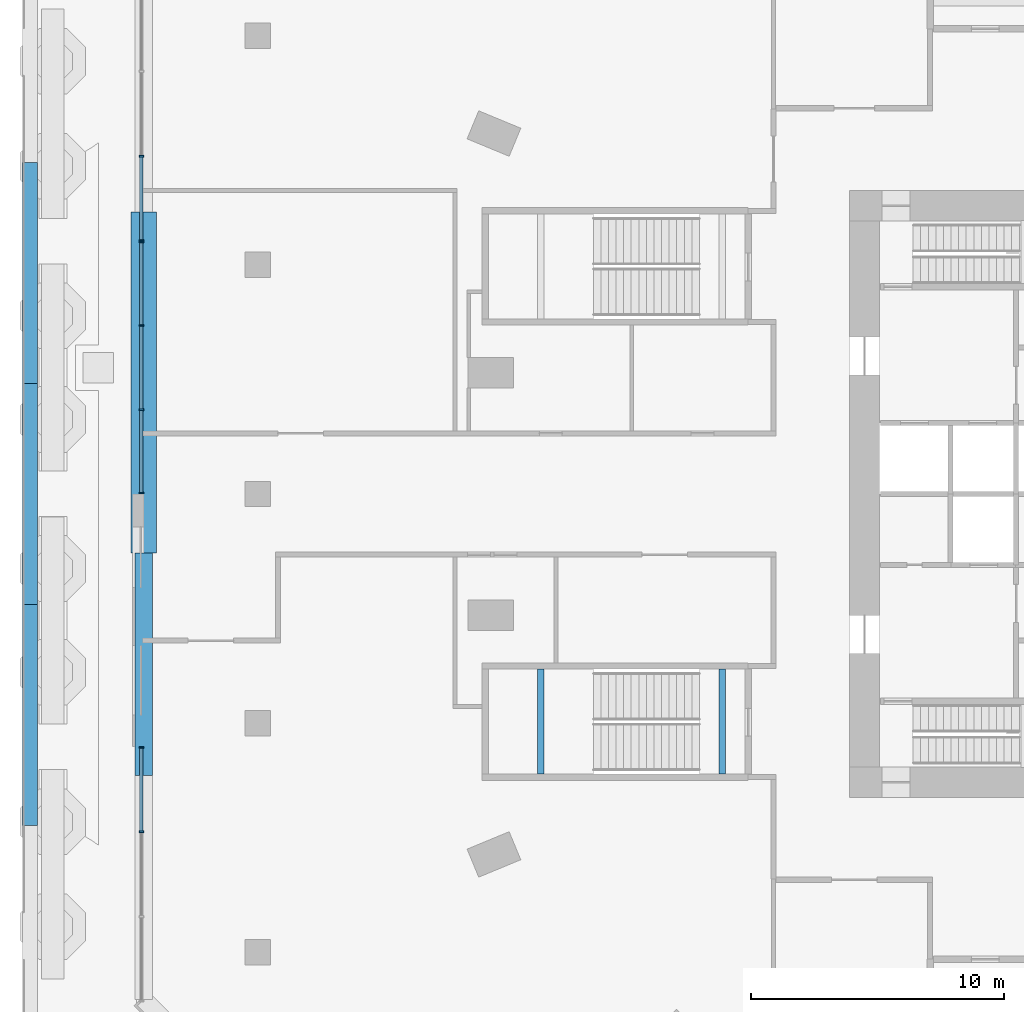
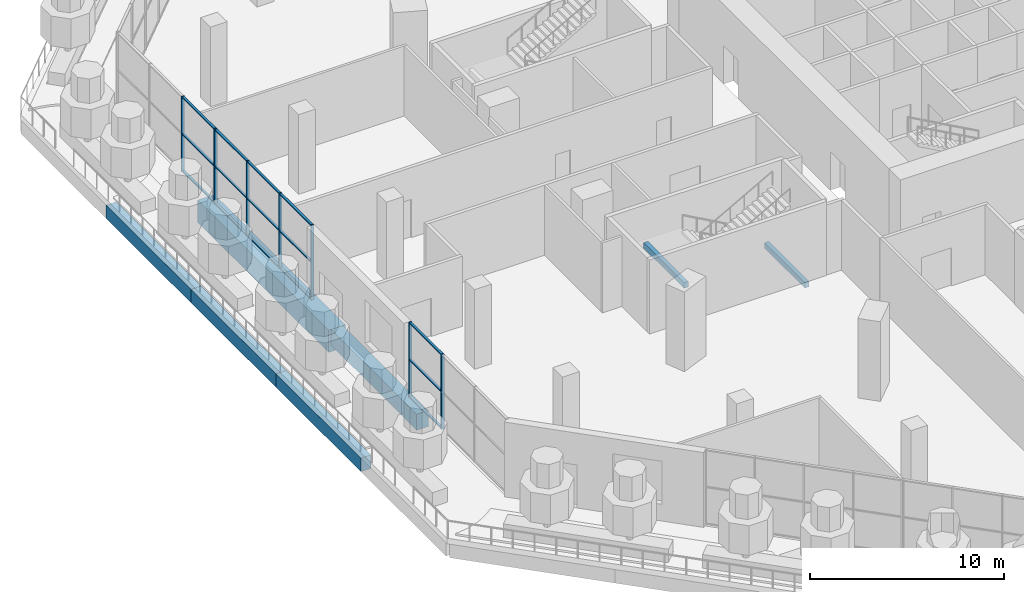
# One storey, part 6 of 32: 23 members, 7 beams, 3 elements without a shape of their own.
"""IFC4 building model written with IfcOpenShell, lengths in metres."""

from ifc_helpers import new_model, si_unit, direction, frame, origin, origin_2d, place, context, subcontext, project, spatial, rectangle, extrude, material, material_profile, profile_set, type_object, element, aggregate, save


model = new_model("IFC4")

# Units and contexts
model_context = context("Model", 3, precision=1e-05, world=origin(), true_north=direction((0.0, 1.0)))
body_context = subcontext(model_context, "Body", "Model", "MODEL_VIEW")
ifc_project = project(units=[si_unit("LENGTHUNIT", "METRE"), si_unit("AREAUNIT", "SQUARE_METRE"), si_unit("VOLUMEUNIT", "CUBIC_METRE"), si_unit("PLANEANGLEUNIT", "RADIAN"), si_unit("MASSUNIT", "GRAM", prefix="KILO")], contexts=[model_context])

# Site, building, storey
site_placement = place(None, origin())
site = spatial("IfcSite", under=ifc_project, at=site_placement, CompositionType="ELEMENT")
building_placement = place(site_placement, origin())
building = spatial("IfcBuilding", under=site, at=building_placement, Name="Msitu Wima Residences", CompositionType="ELEMENT")
storey_placement = place(building_placement, frame((0.0, 0.0, 6.0)))
storey = spatial("IfcBuildingStorey", under=building, at=storey_placement, Name="L01", CompositionType="ELEMENT", Elevation=6.0)

# Beams
ifc_material_1 = material(Name="Concrete C40/50", Category="concrete")
ifc_material_profile_1 = material_profile(ifc_material_1, rectangle(XDim=0.25, YDim=0.35009765625, at=origin_2d()), Name="RC 250x350")
ifc_profile_set_1 = profile_set([ifc_material_profile_1], Name="Concrete C40/50")
beam_type_1 = type_object("IfcBeamType", Name="Landing beam RC 250x350", PredefinedType="BEAM", material=ifc_profile_set_1)
for number, where, z_axis, x_axis, name in (
    (1, (-26.60009765625, -6.925048828125, 2.125), (0.0, -1.0, 0.0), (1.0, 0.0, 0.0), "Podium exit stair 5 landing beam"),
    (2, (-19.425048828125, -6.925048828125, -0.375), (0.0, -1.0, 0.0), (1.0, 0.0, 0.0), "Podium exit stair 5 floor landing beam"),
):
    element("IfcBeam", number, at=place(storey_placement, frame(where, z_axis=z_axis, x_axis=x_axis)), inside=storey, type_object=beam_type_1, Name=name, PredefinedType="BEAM", context=body_context, shape_type="SweptSolid", body=[
        extrude(rectangle(XDim=0.25, YDim=0.35009765625, at=origin_2d()), origin(), (0.0, 0.0, 1.0), 4.14990234375),
    ])

# Curtain wall, members
ifc_material_2 = material(Name="Anodised aluminium, bronze finish, clear low-emissivity double glazing", Category="aluminium")
curtain_wall_type = type_object("IfcCurtainWallType", Name="Curtain wall CW5 retail shopfront", PredefinedType="NOTDEFINED", material=ifc_material_2)
curtain_wall_1_placement = place(storey_placement, origin())
curtain_wall_1 = element("IfcCurtainWall", 3, at=curtain_wall_1_placement, inside=storey, type_object=curtain_wall_type, Name="Curtain wall CW5 L01 W0", PredefinedType="NOTDEFINED")
ifc_material_3 = material(Name="Anodised aluminium, bronze finish", Category="aluminium")
ifc_material_profile_2 = material_profile(ifc_material_3, rectangle(XDim=0.179931640625, YDim=0.06494140625, at=origin_2d()), Name="Mullion 65x180")
ifc_profile_set_2 = profile_set([ifc_material_profile_2], Name="Anodised aluminium, bronze finish")
member_type_1 = type_object("IfcMemberType", Name="Mullion CW5 65x180", PredefinedType="MULLION", material=ifc_profile_set_2)
member_1_placement = place(storey_placement, frame((-42.39990234375, 13.35888671875, 0.0), z_axis=(0.0, 0.0, 1.0), x_axis=(1.0, 0.0, 0.0)))
member_1 = element("IfcMember", 4, at=member_1_placement, type_object=member_type_1, Name="CW5 mullion 3", PredefinedType="MULLION", context=body_context, shape_type="SweptSolid", body=[
    extrude(rectangle(XDim=0.179931640625, YDim=0.06494140625, at=origin_2d()), origin(), (0.0, 0.0, 1.0), 4.699951171875),
])
member_2_placement = place(storey_placement, frame((-42.39990234375, 10.0283203125, 0.0), z_axis=(0.0, 0.0, 1.0), x_axis=(1.0, 0.0, 0.0)))
member_2 = element("IfcMember", 5, at=member_2_placement, type_object=member_type_1, Name="CW5 mullion 4", PredefinedType="MULLION", context=body_context, shape_type="SweptSolid", body=[
    extrude(rectangle(XDim=0.179931640625, YDim=0.06494140625, at=origin_2d()), origin(), (0.0, 0.0, 1.0), 4.699951171875),
])

curtain_wall_2_placement = place(storey_placement, origin())
curtain_wall_2 = element("IfcCurtainWall", 6, at=curtain_wall_2_placement, inside=storey, type_object=curtain_wall_type, Name="Curtain wall CW5 L01 W1", PredefinedType="NOTDEFINED")
member_3_placement = place(storey_placement, frame((-42.39990234375, 9.96337890625, 0.0), z_axis=(0.0, 0.0, 1.0), x_axis=(1.0, 0.0, 0.0)))
member_3 = element("IfcMember", 7, at=member_3_placement, type_object=member_type_1, Name="CW5 mullion 1", PredefinedType="MULLION", context=body_context, shape_type="SweptSolid", body=[
    extrude(rectangle(XDim=0.179931640625, YDim=0.06494140625, at=origin_2d()), origin(), (0.0, 0.0, 1.0), 4.699951171875),
])
member_4_placement = place(storey_placement, frame((-42.39990234375, 6.6640625, 0.0), z_axis=(0.0, 0.0, 1.0), x_axis=(1.0, 0.0, 0.0)))
member_4 = element("IfcMember", 8, at=member_4_placement, type_object=member_type_1, Name="CW5 mullion 2", PredefinedType="MULLION", context=body_context, shape_type="SweptSolid", body=[
    extrude(rectangle(XDim=0.179931640625, YDim=0.06494140625, at=origin_2d()), origin(), (0.0, 0.0, 1.0), 4.699951171875),
])
member_5_placement = place(storey_placement, frame((-42.39990234375, 3.33203125, 0.0), z_axis=(0.0, 0.0, 1.0), x_axis=(1.0, 0.0, 0.0)))
member_5 = element("IfcMember", 9, at=member_5_placement, type_object=member_type_1, Name="CW5 mullion 3", PredefinedType="MULLION", context=body_context, shape_type="SweptSolid", body=[
    extrude(rectangle(XDim=0.179931640625, YDim=0.06494140625, at=origin_2d()), origin(), (0.0, 0.0, 1.0), 4.699951171875),
])
member_6_placement = place(storey_placement, frame((-42.39990234375, 0.032470703125, 0.0), z_axis=(0.0, 0.0, 1.0), x_axis=(1.0, 0.0, 0.0)))
member_6 = element("IfcMember", 10, at=member_6_placement, type_object=member_type_1, Name="CW5 mullion 4", PredefinedType="MULLION", context=body_context, shape_type="SweptSolid", body=[
    extrude(rectangle(XDim=0.179931640625, YDim=0.06494140625, at=origin_2d()), origin(), (0.0, 0.0, 1.0), 4.699951171875),
])

curtain_wall_3_placement = place(storey_placement, origin())
curtain_wall_3 = element("IfcCurtainWall", 11, at=curtain_wall_3_placement, inside=storey, type_object=curtain_wall_type, Name="Curtain wall CW5 L01 W3", PredefinedType="NOTDEFINED")
member_7_placement = place(storey_placement, frame((-42.39990234375, -10.0283203125, 0.0), z_axis=(0.0, 0.0, 1.0), x_axis=(1.0, 0.0, 0.0)))
member_7 = element("IfcMember", 12, at=member_7_placement, type_object=member_type_1, Name="CW5 mullion 1", PredefinedType="MULLION", context=body_context, shape_type="SweptSolid", body=[
    extrude(rectangle(XDim=0.179931640625, YDim=0.06494140625, at=origin_2d()), origin(), (0.0, 0.0, 1.0), 4.699951171875),
])
member_8_placement = place(storey_placement, frame((-42.39990234375, -13.35888671875, 0.0), z_axis=(0.0, 0.0, 1.0), x_axis=(1.0, 0.0, 0.0)))
member_8 = element("IfcMember", 13, at=member_8_placement, type_object=member_type_1, Name="CW5 mullion 2", PredefinedType="MULLION", context=body_context, shape_type="SweptSolid", body=[
    extrude(rectangle(XDim=0.179931640625, YDim=0.06494140625, at=origin_2d()), origin(), (0.0, 0.0, 1.0), 4.699951171875),
])

# Beams
ifc_material_4 = material(Name="Concrete C60/75", Category="concrete")
ifc_material_profile_3 = material_profile(ifc_material_4, rectangle(XDim=1.0, YDim=1.39990234375, at=origin_2d()), Name="RC 1000x1400")
ifc_profile_set_3 = profile_set([ifc_material_profile_3], Name="Concrete C60/75")
beam_type_2 = type_object("IfcBeamType", Name="Terrace beam RC 1000x1400 Concrete C60/75", PredefinedType="BEAM", material=ifc_profile_set_3)
beam_1_placement = place(storey_placement, frame((-42.300048828125, 11.14404296875, -1.050048828125), z_axis=(0.0, -1.0, 0.0), x_axis=(1.0, 0.0, 0.0)))
element("IfcBeam", 14, at=beam_1_placement, inside=storey, type_object=beam_type_2, Name="Terrace upstand-line beam L01 T27", PredefinedType="BEAM", context=body_context, shape_type="SweptSolid", body=[
    extrude(rectangle(XDim=1.0, YDim=1.39990234375, at=origin_2d()), origin(), (0.0, 0.0, 1.0), 13.485595703125),
])
ifc_material_profile_4 = material_profile(ifc_material_4, rectangle(XDim=0.60009765625, YDim=0.85009765625, at=origin_2d()), Name="RC 600x850")
ifc_profile_set_4 = profile_set([ifc_material_profile_4], Name="Concrete C60/75")
beam_type_3 = type_object("IfcBeamType", Name="Terrace beam RC 600x850 Concrete C60/75", PredefinedType="BEAM", material=ifc_profile_set_4)
beam_2_placement = place(storey_placement, frame((-46.800048828125, 13.113525390625, -0.77490234375), z_axis=(0.0, -1.0, 0.0), x_axis=(1.0, 0.0, 0.0)))
element("IfcBeam", 15, at=beam_2_placement, inside=storey, type_object=beam_type_3, Name="Terrace edge beam L00 C-W1", PredefinedType="BEAM", context=body_context, shape_type="SweptSolid", body=[
    extrude(rectangle(XDim=0.60009765625, YDim=0.85009765625, at=origin_2d()), origin(), (0.0, 0.0, 1.0), 8.742431640625),
])
beam_3_placement = place(storey_placement, frame((-46.800048828125, 4.37109375, -0.77490234375), z_axis=(0.0, -1.0, 0.0), x_axis=(1.0, 0.0, 0.0)))
element("IfcBeam", 16, at=beam_3_placement, inside=storey, type_object=beam_type_3, Name="Terrace edge beam L00 C-W2", PredefinedType="BEAM", context=body_context, shape_type="SweptSolid", body=[
    extrude(rectangle(XDim=0.60009765625, YDim=0.85009765625, at=origin_2d()), origin(), (0.0, 0.0, 1.0), 8.7421875),
])
beam_4_placement = place(storey_placement, frame((-46.800048828125, -4.37109375, -0.77490234375), z_axis=(0.0, -1.0, 0.0), x_axis=(1.0, 0.0, 0.0)))
element("IfcBeam", 17, at=beam_4_placement, inside=storey, type_object=beam_type_3, Name="Terrace edge beam L00 C-W3", PredefinedType="BEAM", context=body_context, shape_type="SweptSolid", body=[
    extrude(rectangle(XDim=0.60009765625, YDim=0.85009765625, at=origin_2d()), origin(), (0.0, 0.0, 1.0), 8.742431640625),
])
ifc_material_profile_5 = material_profile(ifc_material_4, rectangle(XDim=0.699951171875, YDim=1.0, at=origin_2d()), Name="RC 700x1000")
ifc_profile_set_5 = profile_set([ifc_material_profile_5], Name="Concrete C60/75")
beam_type_4 = type_object("IfcBeamType", Name="Terrace beam RC 700x1000 Concrete C60/75", PredefinedType="BEAM", material=ifc_profile_set_5)
beam_5_placement = place(storey_placement, frame((-42.300048828125, -2.341552734375, -0.85009765625), z_axis=(0.0, -1.0, 0.0), x_axis=(1.0, 0.0, 0.0)))
element("IfcBeam", 18, at=beam_5_placement, inside=storey, type_object=beam_type_4, Name="Terrace upstand-line beam L01 T0", PredefinedType="BEAM", context=body_context, shape_type="SweptSolid", body=[
    extrude(rectangle(XDim=0.699951171875, YDim=1.0, at=origin_2d()), origin(), (0.0, 0.0, 1.0), 8.802490234375),
])

# Member
ifc_material_profile_6 = material_profile(ifc_material_3, rectangle(XDim=0.139892578125, YDim=0.06494140625, at=origin_2d()), Name="Transom 65x140")
ifc_profile_set_6 = profile_set([ifc_material_profile_6], Name="Anodised aluminium, bronze finish")
member_type_2 = type_object("IfcMemberType", Name="Transom CW5 65x140", PredefinedType="USERDEFINED", material=ifc_profile_set_6)
member_9_placement = place(storey_placement, frame((-42.39990234375, 13.326416015625, 0.032470703125), z_axis=(0.0, -1.0, 0.0), x_axis=(1.0, 0.0, 0.0)))
member_9 = element("IfcMember", 19, at=member_9_placement, type_object=member_type_2, Name="CW5 transom 3.1", ObjectType="TRANSOM", PredefinedType="USERDEFINED", context=body_context, shape_type="SweptSolid", body=[
    extrude(rectangle(XDim=0.139892578125, YDim=0.06494140625, at=origin_2d()), origin(), (0.0, 0.0, 1.0), 3.265380859375),
])

member_10_placement = place(storey_placement, frame((-42.39990234375, 13.326416015625, 2.35009765625), z_axis=(0.0, -1.0, 0.0), x_axis=(1.0, 0.0, 0.0)))
member_10 = element("IfcMember", 20, at=member_10_placement, type_object=member_type_2, Name="CW5 transom 3.2", ObjectType="TRANSOM", PredefinedType="USERDEFINED", context=body_context, shape_type="SweptSolid", body=[
    extrude(rectangle(XDim=0.139892578125, YDim=0.06494140625, at=origin_2d()), origin(), (0.0, 0.0, 1.0), 3.265380859375),
])

member_11_placement = place(storey_placement, frame((-42.39990234375, 13.326416015625, 4.66748046875), z_axis=(0.0, -1.0, 0.0), x_axis=(1.0, 0.0, 0.0)))
member_11 = element("IfcMember", 21, at=member_11_placement, type_object=member_type_2, Name="CW5 transom 3.3", ObjectType="TRANSOM", PredefinedType="USERDEFINED", context=body_context, shape_type="SweptSolid", body=[
    extrude(rectangle(XDim=0.139892578125, YDim=0.06494140625, at=origin_2d()), origin(), (0.0, 0.0, 1.0), 3.265380859375),
])

aggregate(curtain_wall_1, [member_1, member_2, member_9, member_10, member_11])

member_12_placement = place(storey_placement, frame((-42.39990234375, 9.930908203125, 0.032470703125), z_axis=(0.0, -1.0, 0.0), x_axis=(1.0, 0.0, 0.0)))
member_12 = element("IfcMember", 22, at=member_12_placement, type_object=member_type_2, Name="CW5 transom 1.1", ObjectType="TRANSOM", PredefinedType="USERDEFINED", context=body_context, shape_type="SweptSolid", body=[
    extrude(rectangle(XDim=0.139892578125, YDim=0.06494140625, at=origin_2d()), origin(), (0.0, 0.0, 1.0), 3.234375),
])

member_13_placement = place(storey_placement, frame((-42.39990234375, 9.930908203125, 2.35009765625), z_axis=(0.0, -1.0, 0.0), x_axis=(1.0, 0.0, 0.0)))
member_13 = element("IfcMember", 23, at=member_13_placement, type_object=member_type_2, Name="CW5 transom 1.2", ObjectType="TRANSOM", PredefinedType="USERDEFINED", context=body_context, shape_type="SweptSolid", body=[
    extrude(rectangle(XDim=0.139892578125, YDim=0.06494140625, at=origin_2d()), origin(), (0.0, 0.0, 1.0), 3.234375),
])

member_14_placement = place(storey_placement, frame((-42.39990234375, 9.930908203125, 4.66748046875), z_axis=(0.0, -1.0, 0.0), x_axis=(1.0, 0.0, 0.0)))
member_14 = element("IfcMember", 24, at=member_14_placement, type_object=member_type_2, Name="CW5 transom 1.3", ObjectType="TRANSOM", PredefinedType="USERDEFINED", context=body_context, shape_type="SweptSolid", body=[
    extrude(rectangle(XDim=0.139892578125, YDim=0.06494140625, at=origin_2d()), origin(), (0.0, 0.0, 1.0), 3.234375),
])

member_15_placement = place(storey_placement, frame((-42.39990234375, 6.63134765625, 0.032470703125), z_axis=(0.0, -1.0, 0.0), x_axis=(1.0, 0.0, 0.0)))
member_15 = element("IfcMember", 25, at=member_15_placement, type_object=member_type_2, Name="CW5 transom 2.1", ObjectType="TRANSOM", PredefinedType="USERDEFINED", context=body_context, shape_type="SweptSolid", body=[
    extrude(rectangle(XDim=0.139892578125, YDim=0.06494140625, at=origin_2d()), origin(), (0.0, 0.0, 1.0), 3.266845703125),
])

member_16_placement = place(storey_placement, frame((-42.39990234375, 6.63134765625, 2.35009765625), z_axis=(0.0, -1.0, 0.0), x_axis=(1.0, 0.0, 0.0)))
member_16 = element("IfcMember", 26, at=member_16_placement, type_object=member_type_2, Name="CW5 transom 2.2", ObjectType="TRANSOM", PredefinedType="USERDEFINED", context=body_context, shape_type="SweptSolid", body=[
    extrude(rectangle(XDim=0.139892578125, YDim=0.06494140625, at=origin_2d()), origin(), (0.0, 0.0, 1.0), 3.266845703125),
])

member_17_placement = place(storey_placement, frame((-42.39990234375, 6.63134765625, 4.66748046875), z_axis=(0.0, -1.0, 0.0), x_axis=(1.0, 0.0, 0.0)))
member_17 = element("IfcMember", 27, at=member_17_placement, type_object=member_type_2, Name="CW5 transom 2.3", ObjectType="TRANSOM", PredefinedType="USERDEFINED", context=body_context, shape_type="SweptSolid", body=[
    extrude(rectangle(XDim=0.139892578125, YDim=0.06494140625, at=origin_2d()), origin(), (0.0, 0.0, 1.0), 3.266845703125),
])

member_18_placement = place(storey_placement, frame((-42.39990234375, 3.299560546875, 0.032470703125), z_axis=(0.0, -1.0, 0.0), x_axis=(1.0, 0.0, 0.0)))
member_18 = element("IfcMember", 28, at=member_18_placement, type_object=member_type_2, Name="CW5 transom 3.1", ObjectType="TRANSOM", PredefinedType="USERDEFINED", context=body_context, shape_type="SweptSolid", body=[
    extrude(rectangle(XDim=0.139892578125, YDim=0.06494140625, at=origin_2d()), origin(), (0.0, 0.0, 1.0), 3.234619140625),
])

member_19_placement = place(storey_placement, frame((-42.39990234375, 3.299560546875, 2.35009765625), z_axis=(0.0, -1.0, 0.0), x_axis=(1.0, 0.0, 0.0)))
member_19 = element("IfcMember", 29, at=member_19_placement, type_object=member_type_2, Name="CW5 transom 3.2", ObjectType="TRANSOM", PredefinedType="USERDEFINED", context=body_context, shape_type="SweptSolid", body=[
    extrude(rectangle(XDim=0.139892578125, YDim=0.06494140625, at=origin_2d()), origin(), (0.0, 0.0, 1.0), 3.234619140625),
])

member_20_placement = place(storey_placement, frame((-42.39990234375, 3.299560546875, 4.66748046875), z_axis=(0.0, -1.0, 0.0), x_axis=(1.0, 0.0, 0.0)))
member_20 = element("IfcMember", 30, at=member_20_placement, type_object=member_type_2, Name="CW5 transom 3.3", ObjectType="TRANSOM", PredefinedType="USERDEFINED", context=body_context, shape_type="SweptSolid", body=[
    extrude(rectangle(XDim=0.139892578125, YDim=0.06494140625, at=origin_2d()), origin(), (0.0, 0.0, 1.0), 3.234619140625),
])

aggregate(curtain_wall_2, [member_3, member_4, member_5, member_6, member_12, member_13, member_14, member_15, member_16, member_17, member_18, member_19, member_20])

member_21_placement = place(storey_placement, frame((-42.39990234375, -10.06103515625, 0.032470703125), z_axis=(0.0, -1.0, 0.0), x_axis=(1.0, 0.0, 0.0)))
member_21 = element("IfcMember", 31, at=member_21_placement, type_object=member_type_2, Name="CW5 transom 1.1", ObjectType="TRANSOM", PredefinedType="USERDEFINED", context=body_context, shape_type="SweptSolid", body=[
    extrude(rectangle(XDim=0.139892578125, YDim=0.06494140625, at=origin_2d()), origin(), (0.0, 0.0, 1.0), 3.265380859375),
])

member_22_placement = place(storey_placement, frame((-42.39990234375, -10.06103515625, 2.35009765625), z_axis=(0.0, -1.0, 0.0), x_axis=(1.0, 0.0, 0.0)))
member_22 = element("IfcMember", 32, at=member_22_placement, type_object=member_type_2, Name="CW5 transom 1.2", ObjectType="TRANSOM", PredefinedType="USERDEFINED", context=body_context, shape_type="SweptSolid", body=[
    extrude(rectangle(XDim=0.139892578125, YDim=0.06494140625, at=origin_2d()), origin(), (0.0, 0.0, 1.0), 3.265380859375),
])

member_23_placement = place(storey_placement, frame((-42.39990234375, -10.06103515625, 4.66748046875), z_axis=(0.0, -1.0, 0.0), x_axis=(1.0, 0.0, 0.0)))
member_23 = element("IfcMember", 33, at=member_23_placement, type_object=member_type_2, Name="CW5 transom 1.3", ObjectType="TRANSOM", PredefinedType="USERDEFINED", context=body_context, shape_type="SweptSolid", body=[
    extrude(rectangle(XDim=0.139892578125, YDim=0.06494140625, at=origin_2d()), origin(), (0.0, 0.0, 1.0), 3.265380859375),
])

aggregate(curtain_wall_3, [member_7, member_8, member_21, member_22, member_23])

save(model, "model.ifc")
